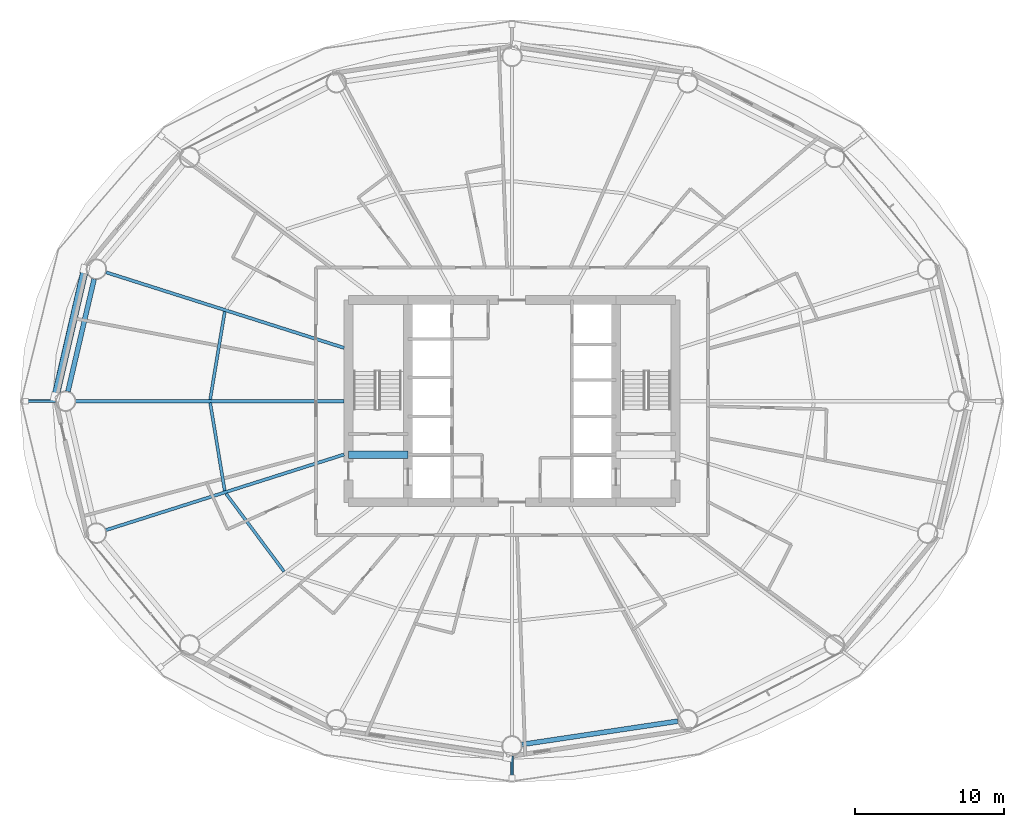
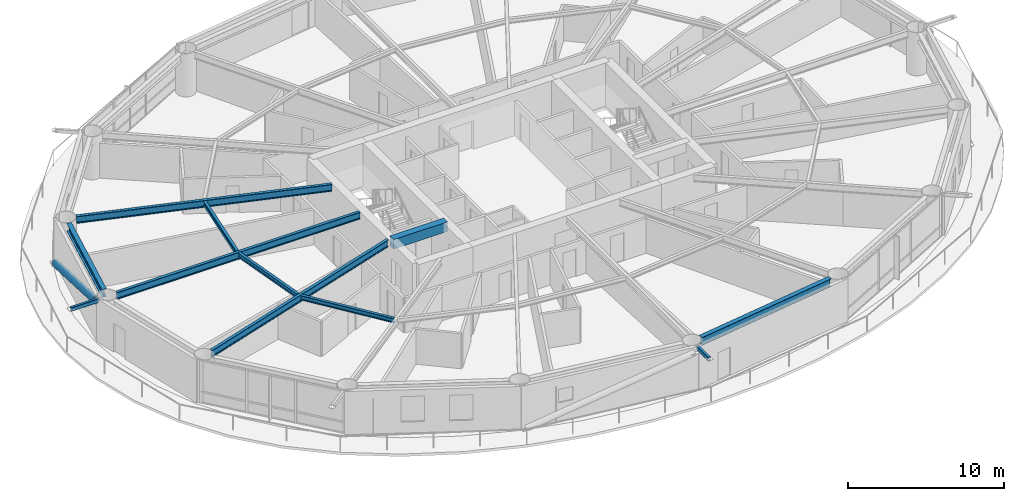
# One storey, part 5 of 26: 9 beams, 3 members.
"""IFC4 building model written with IfcOpenShell, lengths in metres."""

from ifc_helpers import new_model, si_unit, direction, frame, origin, origin_2d, place, context, subcontext, project, spatial, rectangle, hollow_rectangle, hollow_circle, i_section, extrude, material, material_profile, profile_set, type_object, element, save


model = new_model("IFC4")

# Units and contexts
model_context = context("Model", 3, precision=1e-05, world=origin(), true_north=direction((0.0, 1.0)))
body_context = subcontext(model_context, "Body", "Model", "MODEL_VIEW")
ifc_project = project(units=[si_unit("LENGTHUNIT", "METRE"), si_unit("AREAUNIT", "SQUARE_METRE"), si_unit("VOLUMEUNIT", "CUBIC_METRE"), si_unit("PLANEANGLEUNIT", "RADIAN"), si_unit("MASSUNIT", "GRAM", prefix="KILO")], contexts=[model_context])

# Site, building, storey
site_placement = place(None, origin())
site = spatial("IfcSite", under=ifc_project, at=site_placement, CompositionType="ELEMENT")
building_placement = place(site_placement, origin())
building = spatial("IfcBuilding", under=site, at=building_placement, Name="Sarneth Arch Tower", CompositionType="ELEMENT")
storey_placement = place(building_placement, frame((0.0, 0.0, 39.0)))
storey = spatial("IfcBuildingStorey", under=building, at=storey_placement, Name="L08", CompositionType="ELEMENT", Elevation=39.0)

# Beams
ifc_material_1 = material(Name="Steel S355", Category="steel")
ifc_material_profile_1 = material_profile(ifc_material_1, i_section(OverallWidth=0.2041015625, OverallDepth=0.35009765625, WebThickness=0.008544921875, FlangeThickness=0.01513671875, FilletRadius=0.014892578125, at=origin_2d()), Name="W360x72")
ifc_profile_set_1 = profile_set([ifc_material_profile_1], Name="Steel S355")
beam_type_1 = type_object("IfcBeamType", Name="BM-JOIST-360D", PredefinedType="JOIST", material=ifc_profile_set_1)
for number, where, z_axis, x_axis, name in (
    (1, (28.67138671875, 48.025146484375, 3.205078125), (-0.163917352659, -0.986474075431, 0.0), (0.986474075431, -0.163917352659, 0.0), "L08 Secondary floor joist 08"),
    (2, (27.687744140625, 41.89453125, 3.205078125), (0.163917352659, -0.986474075431, 0.0), (0.986474075431, 0.163917352659, 0.0), "L08 Secondary floor joist 09"),
):
    element("IfcBeam", number, at=place(storey_placement, frame(where, z_axis=z_axis, x_axis=x_axis)), inside=storey, type_object=beam_type_1, Name=name, PredefinedType="JOIST", context=body_context, shape_type="SweptSolid", body=[
        extrude(i_section(OverallWidth=0.2041015625, OverallDepth=0.35009765625, WebThickness=0.008544921875, FlangeThickness=0.01513671875, FilletRadius=0.014892578125, at=origin_2d()), origin(), (0.0, 0.0, 1.0), 6.000732421875),
    ])
beam_1_placement = place(storey_placement, frame((28.7529296875, 35.783447265625, 3.205078125), z_axis=(0.597453564101, -0.801903509621, 0.0), x_axis=(0.801903509621, 0.597453564101, 0.0)))
element("IfcBeam", 3, at=beam_1_placement, inside=storey, type_object=beam_type_1, Name="L08 Secondary floor joist 10", PredefinedType="JOIST", context=body_context, shape_type="SweptSolid", body=[
    extrude(i_section(OverallWidth=0.2041015625, OverallDepth=0.35009765625, WebThickness=0.008544921875, FlangeThickness=0.01513671875, FilletRadius=0.014892578125, at=origin_2d()), origin(), (0.0, 0.0, 1.0), 6.542724609375),
])
ifc_material_2 = material(Name="Concrete C50/60", Category="concrete")
ifc_material_profile_2 = material_profile(ifc_material_2, rectangle(XDim=0.5, YDim=0.75, at=origin_2d()), Name="RC-500x750")
ifc_profile_set_2 = profile_set([ifc_material_profile_2], Name="Concrete C50/60")
beam_type_2 = type_object("IfcBeamType", Name="BM-LINTEL-RC", PredefinedType="LINTEL", material=ifc_profile_set_2)
beam_2_placement = place(storey_placement, frame((37.0, 38.39990234375, 3.0048828125), z_axis=(1.0, 0.0, 0.0), x_axis=(0.0, 1.0, 0.0)))
element("IfcBeam", 4, at=beam_2_placement, inside=storey, type_object=beam_type_2, Name="L08 Core coupling lintel W", PredefinedType="LINTEL", context=body_context, shape_type="SweptSolid", body=[
    extrude(rectangle(XDim=0.5, YDim=0.75, at=origin_2d()), origin(), (0.0, 0.0, 1.0), 4.0),
])
ifc_material_3 = material(Name="Steel S355", Category="steel")
ifc_material_profile_3 = material_profile(ifc_material_3, i_section(OverallWidth=0.214111328125, OverallDepth=0.549072265625, WebThickness=0.0146484375, FlangeThickness=0.023681640625, FilletRadius=0.01806640625, at=origin_2d()), Name="W530x138")
ifc_profile_set_3 = profile_set([ifc_material_profile_3], Name="Steel S355")
beam_type_3 = type_object("IfcBeamType", Name="BM-RAD-530A", PredefinedType="BEAM", material=ifc_profile_set_3)
beam_3_placement = place(storey_placement, frame((36.699951171875, 45.58740234375, 3.10546875), z_axis=(-0.953119945629, 0.302592744864, 0.0), x_axis=(-0.302592744864, -0.953119945629, 0.0)))
element("IfcBeam", 5, at=beam_3_placement, inside=storey, type_object=beam_type_3, Name="L08 Radial floor girder 08", PredefinedType="BEAM", context=body_context, shape_type="SweptSolid", body=[
    extrude(i_section(OverallWidth=0.214111328125, OverallDepth=0.549072265625, WebThickness=0.0146484375, FlangeThickness=0.023681640625, FilletRadius=0.01806640625, at=origin_2d()), origin(), (0.0, 0.0, 1.0), 16.810302734375),
])
beam_4_placement = place(storey_placement, frame((36.699951171875, 42.0, 3.10546875), z_axis=(-1.0, 0.0, 0.0), x_axis=(0.0, -1.0, 0.0)))
element("IfcBeam", 6, at=beam_4_placement, inside=storey, type_object=beam_type_3, Name="L08 Radial floor girder 09", PredefinedType="BEAM", context=body_context, shape_type="SweptSolid", body=[
    extrude(i_section(OverallWidth=0.214111328125, OverallDepth=0.549072265625, WebThickness=0.0146484375, FlangeThickness=0.023681640625, FilletRadius=0.01806640625, at=origin_2d()), origin(), (0.0, 0.0, 1.0), 18.059814453125),
])
beam_5_placement = place(storey_placement, frame((36.699951171875, 38.41259765625, 3.10546875), z_axis=(-0.953119945629, -0.302592744864, 0.0), x_axis=(0.302592744864, -0.953119945629, 0.0)))
element("IfcBeam", 7, at=beam_5_placement, inside=storey, type_object=beam_type_3, Name="L08 Radial floor girder 10", PredefinedType="BEAM", context=body_context, shape_type="SweptSolid", body=[
    extrude(i_section(OverallWidth=0.214111328125, OverallDepth=0.549072265625, WebThickness=0.0146484375, FlangeThickness=0.023681640625, FilletRadius=0.01806640625, at=origin_2d()), origin(), (0.0, 0.0, 1.0), 16.810302734375),
])
ifc_material_4 = material(Name="Steel S355", Category="steel")
ifc_material_profile_4 = material_profile(ifc_material_4, i_section(OverallWidth=0.326904296875, OverallDepth=0.6220703125, WebThickness=0.015380859375, FlangeThickness=0.0244140625, FilletRadius=0.01904296875, at=origin_2d()), Name="W610x195")
ifc_profile_set_4 = profile_set([ifc_material_profile_4], Name="Steel S355")
beam_type_4 = type_object("IfcBeamType", Name="BM-SPAN-610A", PredefinedType="SPANDREL", material=ifc_profile_set_4)
beam_6_placement = place(storey_placement, frame((19.88134765625, 50.220947265625, 3.069091796875), z_axis=(-0.227001042423, -0.973894515201, 0.0), x_axis=(0.973894515201, -0.227001042423, 0.0)))
element("IfcBeam", 8, at=beam_6_placement, inside=storey, type_object=beam_type_4, Name="L08 Perimeter spandrel beam 08", PredefinedType="SPANDREL", context=body_context, shape_type="SweptSolid", body=[
    extrude(i_section(OverallWidth=0.326904296875, OverallDepth=0.6220703125, WebThickness=0.015380859375, FlangeThickness=0.0244140625, FilletRadius=0.01904296875, at=origin_2d()), origin(), (0.0, 0.0, 1.0), 7.76611328125),
])
beam_7_placement = place(storey_placement, frame((48.66748046875, 18.899658203125, 3.069091796875), z_axis=(0.989015788086, 0.147809914809, 0.0), x_axis=(-0.147809914809, 0.989015788086, 0.0)))
element("IfcBeam", 9, at=beam_7_placement, inside=storey, type_object=beam_type_4, Name="L08 Perimeter spandrel beam 13", PredefinedType="SPANDREL", context=body_context, shape_type="SweptSolid", body=[
    extrude(i_section(OverallWidth=0.326904296875, OverallDepth=0.6220703125, WebThickness=0.015380859375, FlangeThickness=0.0244140625, FilletRadius=0.01904296875, at=origin_2d()), origin(), (0.0, 0.0, 1.0), 10.59912109375),
])

# Members
ifc_material_5 = material(Name="Steel S355", Category="steel")
ifc_material_profile_5 = material_profile(ifc_material_5, hollow_rectangle(XDim=0.199951171875, YDim=0.300048828125, WallThickness=0.012451171875, InnerFilletRadius=0.018798828125, OuterFilletRadius=0.03125, at=origin_2d()), Name="RHS300x200x12.5")
ifc_profile_set_5 = profile_set([ifc_material_profile_5], Name="Steel S355")
member_type_1 = type_object("IfcMemberType", Name="MEM-CANT-STRUT", PredefinedType="STRUT", material=ifc_profile_set_5)
member_1_placement = place(storey_placement, frame((17.290283203125, 42.0, 3.219970703125), z_axis=(-1.0, 0.0, 0.0), x_axis=(0.0, -1.0, 0.0)))
element("IfcMember", 10, at=member_1_placement, inside=storey, type_object=member_type_1, Name="L08 Balcony cantilever bracket 09", PredefinedType="STRUT", context=body_context, shape_type="SweptSolid", body=[
    extrude(hollow_rectangle(XDim=0.199951171875, YDim=0.300048828125, WallThickness=0.012451171875, InnerFilletRadius=0.018798828125, OuterFilletRadius=0.03125, at=origin_2d()), origin(), (0.0, 0.0, 1.0), 2.0224609375),
])
member_2_placement = place(storey_placement, frame((48.0, 18.125, 3.219970703125), z_axis=(0.0, -1.0, 0.0), x_axis=(1.0, 0.0, 0.0)))
element("IfcMember", 11, at=member_2_placement, inside=storey, type_object=member_type_1, Name="L08 Balcony cantilever bracket 13", PredefinedType="STRUT", context=body_context, shape_type="SweptSolid", body=[
    extrude(hollow_rectangle(XDim=0.199951171875, YDim=0.300048828125, WallThickness=0.012451171875, InnerFilletRadius=0.018798828125, OuterFilletRadius=0.03125, at=origin_2d()), origin(), (0.0, 0.0, 1.0), 1.477783203125),
])
ifc_material_6 = material(Name="Steel S355", Category="steel")
ifc_material_profile_6 = material_profile(ifc_material_6, hollow_circle(Radius=0.25390625, WallThickness=0.01611328125, at=origin_2d()), Name="CHS508x16")
ifc_profile_set_6 = profile_set([ifc_material_profile_6], Name="Steel S355")
member_type_2 = type_object("IfcMemberType", Name="MEM-DIAG-BR1", PredefinedType="BRACE", material=ifc_profile_set_6)
member_3_placement = place(storey_placement, frame((19.260986328125, 50.884521484375, 0.02001953125), z_axis=(-0.213332307958, -0.922814312474, 0.320785085492), x_axis=(0.974304339016, -0.225235554419, 0.0)))
element("IfcMember", 12, at=member_3_placement, inside=storey, type_object=member_type_2, Name="L08 Perimeter frame diagonal 08", PredefinedType="BRACE", context=body_context, shape_type="SweptSolid", body=[
    extrude(hollow_circle(Radius=0.25390625, WallThickness=0.01611328125, at=origin_2d()), origin(), (0.0, 0.0, 1.0), 9.31103515625),
])

save(model, "model.ifc")
